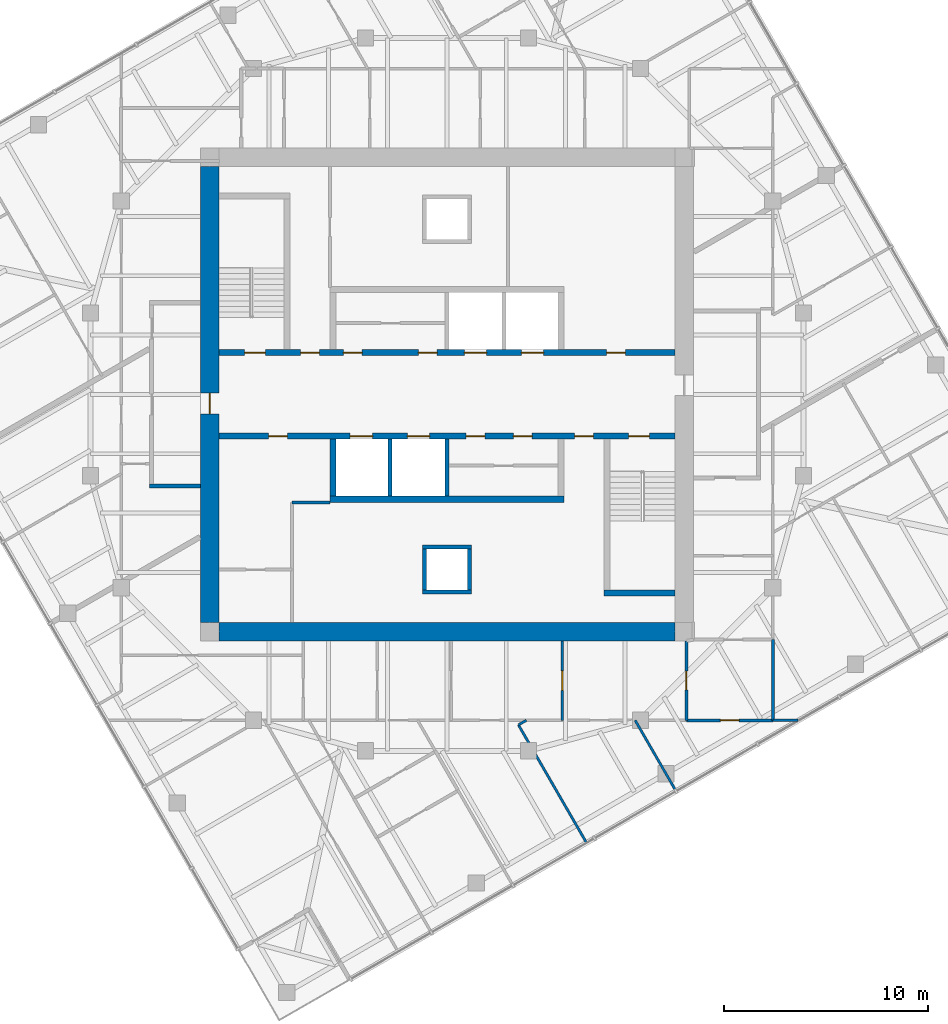
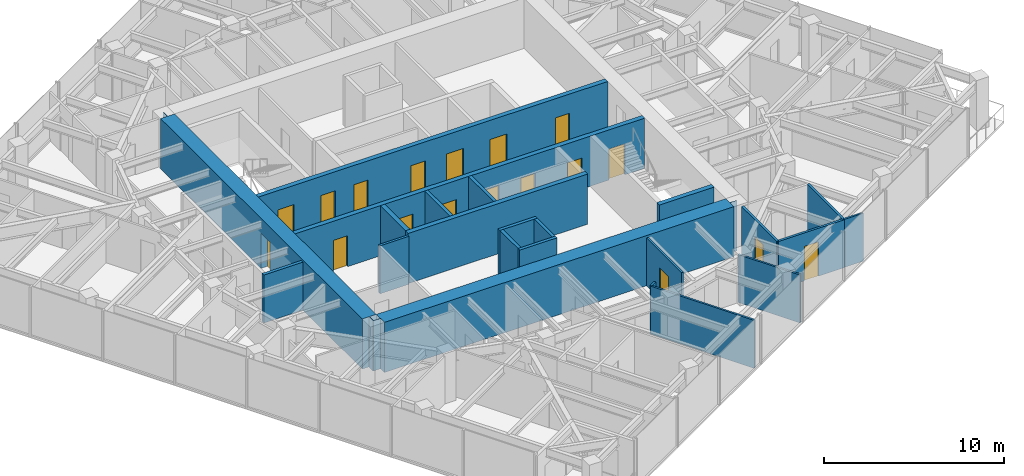
# One storey, part 8 of 12: 23 walls, 18 doors, 18 openings.
"""IFC4 building model written with IfcOpenShell, lengths in metres."""

from ifc_helpers import new_model, si_unit, direction, frame, frame_2d, origin, place, context, subcontext, project, spatial, polyline, rectangle, outline, extrude, material, layer, layer_set, type_object, element, fill, save


model = new_model("IFC4")

# Units and contexts
model_context = context("Model", 3, precision=1e-05, world=origin(), true_north=direction((0.0, 1.0)))
body_context = subcontext(model_context, "Body", "Model", "MODEL_VIEW")
ifc_project = project(units=[si_unit("LENGTHUNIT", "METRE"), si_unit("AREAUNIT", "SQUARE_METRE"), si_unit("VOLUMEUNIT", "CUBIC_METRE"), si_unit("PLANEANGLEUNIT", "RADIAN"), si_unit("MASSUNIT", "GRAM", prefix="KILO")], contexts=[model_context])

# Site, building, storey
site_placement = place(None, origin())
site = spatial("IfcSite", under=ifc_project, at=site_placement, CompositionType="ELEMENT")
building_placement = place(site_placement, origin())
building = spatial("IfcBuilding", under=site, at=building_placement, Name="Torsade Residences", CompositionType="ELEMENT")
storey_placement = place(building_placement, frame((0.0, 0.0, 221.800048828125)))
storey = spatial("IfcBuildingStorey", under=building, at=storey_placement, Name="L61", CompositionType="ELEMENT", Elevation=221.800048828125)

# Wall, openings, doors
ifc_material_1 = material(Name="Concrete 80 MPa", Category="concrete")
ifc_layer_1 = layer(ifc_material_1, 0.300048828125)
ifc_layer_set_1 = layer_set([ifc_layer_1], Name="Concrete 80 MPa")
wall_type_1 = type_object("IfcWallType", Name="CORE INTERNAL WALL 300", PredefinedType="SHEAR", material=ifc_layer_set_1)
wall_1_placement = place(storey_placement, frame((28.800048828125, 32.050048828125, 0.0), z_axis=(0.0, 0.0, 1.0), x_axis=(1.0, 0.0, 0.0)))
wall_1 = element("IfcWall", 1, at=wall_1_placement, inside=storey, type_object=wall_type_1, Name="Core wall LN L61", PredefinedType="SHEAR", context=body_context, shape_type="SweptSolid", body=[
    extrude(rectangle(XDim=22.39990234375, YDim=0.300048828125, at=frame_2d((11.199951171875, 0.0))), origin(), (0.0, 0.0, 1.0), 3.39990234375),
])
opening_1_placement = place(wall_1_placement, frame((19.0400390625, 0.0, 0.0)))
opening_1 = element("IfcOpeningElement", 2, at=opening_1_placement, cuts=wall_1, Name="Opening D06", PredefinedType="OPENING", context=body_context, shape_type="SweptSolid", body=[
    extrude(rectangle(XDim=0.919921875, YDim=2.10009765625, at=frame_2d((0.4599609375, 1.050048828125))), frame((0.0, 0.159912109375, 0.0), z_axis=(0.0, -1.0, 0.0), x_axis=(1.0, 0.0, 0.0)), (0.0, 0.0, 1.0), 0.320068359375),
])
opening_2_placement = place(wall_1_placement, frame((1.264892578125, 0.0, 0.0)))
opening_2 = element("IfcOpeningElement", 3, at=opening_2_placement, cuts=wall_1, Name="Opening D03", PredefinedType="OPENING", context=body_context, shape_type="SweptSolid", body=[
    extrude(rectangle(XDim=1.02001953125, YDim=2.10009765625, at=frame_2d((0.510009765625, 1.050048828125))), frame((0.0, 0.159912109375, 0.0), z_axis=(0.0, -1.0, 0.0), x_axis=(1.0, 0.0, 0.0)), (0.0, 0.0, 1.0), 0.320068359375),
])
opening_3_placement = place(wall_1_placement, frame((4.014892578125, 0.0, 0.0)))
opening_3 = element("IfcOpeningElement", 4, at=opening_3_placement, cuts=wall_1, Name="Opening D06", PredefinedType="OPENING", context=body_context, shape_type="SweptSolid", body=[
    extrude(rectangle(XDim=0.919921875, YDim=2.10009765625, at=frame_2d((0.4599609375, 1.050048828125))), frame((0.0, 0.159912109375, 0.0), z_axis=(0.0, -1.0, 0.0), x_axis=(1.0, 0.0, 0.0)), (0.0, 0.0, 1.0), 0.320068359375),
])
opening_4_placement = place(wall_1_placement, frame((6.114990234375, 0.0, 0.0)))
opening_4 = element("IfcOpeningElement", 5, at=opening_4_placement, cuts=wall_1, Name="Opening D06", PredefinedType="OPENING", context=body_context, shape_type="SweptSolid", body=[
    extrude(rectangle(XDim=0.919921875, YDim=2.10009765625, at=frame_2d((0.4599609375, 1.050048828125))), frame((0.0, 0.159912109375, 0.0), z_axis=(0.0, -1.0, 0.0), x_axis=(1.0, 0.0, 0.0)), (0.0, 0.0, 1.0), 0.320068359375),
])
opening_5_placement = place(wall_1_placement, frame((9.7900390625, 0.0, 0.0)))
opening_5 = element("IfcOpeningElement", 6, at=opening_5_placement, cuts=wall_1, Name="Opening D06", PredefinedType="OPENING", context=body_context, shape_type="SweptSolid", body=[
    extrude(rectangle(XDim=0.919921875, YDim=2.10009765625, at=frame_2d((0.4599609375, 1.050048828125))), frame((0.0, 0.159912109375, 0.0), z_axis=(0.0, -1.0, 0.0), x_axis=(1.0, 0.0, 0.0)), (0.0, 0.0, 1.0), 0.320068359375),
])
opening_6_placement = place(wall_1_placement, frame((12.050048828125, 0.0, 0.0)))
opening_6 = element("IfcOpeningElement", 7, at=opening_6_placement, cuts=wall_1, Name="Opening LD", PredefinedType="OPENING", context=body_context, shape_type="SweptSolid", body=[
    extrude(rectangle(XDim=1.10009765625, YDim=2.10009765625, at=frame_2d((0.550048828125, 1.050048828125))), frame((0.0, 0.159912109375, 0.0), z_axis=(0.0, -1.0, 0.0), x_axis=(1.0, 0.0, 0.0)), (0.0, 0.0, 1.0), 0.320068359375),
])
opening_7_placement = place(wall_1_placement, frame((14.85009765625, 0.0, 0.0)))
opening_7 = element("IfcOpeningElement", 8, at=opening_7_placement, cuts=wall_1, Name="Opening LD", PredefinedType="OPENING", context=body_context, shape_type="SweptSolid", body=[
    extrude(rectangle(XDim=1.10009765625, YDim=2.10009765625, at=frame_2d((0.550048828125, 1.050048828125))), frame((0.0, 0.159912109375, 0.0), z_axis=(0.0, -1.0, 0.0), x_axis=(1.0, 0.0, 0.0)), (0.0, 0.0, 1.0), 0.320068359375),
])
ifc_material_2 = material(Name="Steel-framed fire door", Category="steel")
door_type_1 = type_object("IfcDoorType", Name="FIRE DOOR 1020", OperationType="NOTDEFINED", PredefinedType="DOOR", material=ifc_material_2)
door_1_placement = place(opening_2_placement, origin())
door_1 = element("IfcDoor", 9, at=door_1_placement, inside=storey, type_object=door_type_1, Name="Exit door to fire-isolated stair ST1 L61", OperationType="SINGLE_SWING_RIGHT", OverallHeight=2.10009765625, OverallWidth=1.02001953125, PredefinedType="DOOR", context=body_context, shape_type="SweptSolid", body=[
    extrude(rectangle(XDim=1.02001953125, YDim=2.10009765625, at=frame_2d((0.510009765625, 1.050048828125))), frame((0.0, 0.02490234375, 0.0), z_axis=(0.0, -1.0, 0.0), x_axis=(1.0, 0.0, 0.0)), (0.0, 0.0, 1.0), 0.050048828125),
])
fill(opening_2, door_1)
ifc_material_3 = material(Name="Steel-framed fire door", Category="steel")
door_type_2 = type_object("IfcDoorType", Name="FIRE DOOR 920", OperationType="NOTDEFINED", PredefinedType="DOOR", material=ifc_material_3)
door_2_placement = place(opening_1_placement, origin())
door_2 = element("IfcDoor", 10, at=door_2_placement, inside=storey, type_object=door_type_2, Name="Door Lift lobby to Refuse room", OperationType="SINGLE_SWING_LEFT", OverallHeight=2.10009765625, OverallWidth=0.919921875, PredefinedType="DOOR", context=body_context, shape_type="SweptSolid", body=[
    extrude(rectangle(XDim=0.919921875, YDim=2.10009765625, at=frame_2d((0.4599609375, 1.050048828125))), frame((0.0, 0.02490234375, 0.0), z_axis=(0.0, -1.0, 0.0), x_axis=(1.0, 0.0, 0.0)), (0.0, 0.0, 1.0), 0.050048828125),
])
fill(opening_1, door_2)
door_3_placement = place(opening_3_placement, origin())
door_3 = element("IfcDoor", 11, at=door_3_placement, inside=storey, type_object=door_type_2, Name="Door Lift lobby to Meter store", OperationType="SINGLE_SWING_LEFT", OverallHeight=2.10009765625, OverallWidth=0.919921875, PredefinedType="DOOR", context=body_context, shape_type="SweptSolid", body=[
    extrude(rectangle(XDim=0.919921875, YDim=2.10009765625, at=frame_2d((0.4599609375, 1.050048828125))), frame((0.0, 0.02490234375, 0.0), z_axis=(0.0, -1.0, 0.0), x_axis=(1.0, 0.0, 0.0)), (0.0, 0.0, 1.0), 0.050048828125),
])
fill(opening_3, door_3)
door_4_placement = place(opening_4_placement, origin())
door_4 = element("IfcDoor", 12, at=door_4_placement, inside=storey, type_object=door_type_2, Name="Door Lift lobby to Communications room L61A", OperationType="SINGLE_SWING_LEFT", OverallHeight=2.10009765625, OverallWidth=0.919921875, PredefinedType="DOOR", context=body_context, shape_type="SweptSolid", body=[
    extrude(rectangle(XDim=0.919921875, YDim=2.10009765625, at=frame_2d((0.4599609375, 1.050048828125))), frame((0.0, 0.02490234375, 0.0), z_axis=(0.0, -1.0, 0.0), x_axis=(1.0, 0.0, 0.0)), (0.0, 0.0, 1.0), 0.050048828125),
])
fill(opening_4, door_4)
door_5_placement = place(opening_5_placement, origin())
door_5 = element("IfcDoor", 13, at=door_5_placement, inside=storey, type_object=door_type_2, Name="Door Lift lobby to Communications room L61A", OperationType="SINGLE_SWING_RIGHT", OverallHeight=2.10009765625, OverallWidth=0.919921875, PredefinedType="DOOR", context=body_context, shape_type="SweptSolid", body=[
    extrude(rectangle(XDim=0.919921875, YDim=2.10009765625, at=frame_2d((0.4599609375, 1.050048828125))), frame((0.0, 0.02490234375, 0.0), z_axis=(0.0, -1.0, 0.0), x_axis=(1.0, 0.0, 0.0)), (0.0, 0.0, 1.0), 0.050048828125),
])
fill(opening_5, door_5)
ifc_material_4 = material(Name="Stainless steel lift landing door", Category="steel")
door_type_3 = type_object("IfcDoorType", Name="LIFT LANDING DOOR 1100", OperationType="SLIDING_TO_LEFT", PredefinedType="DOOR", material=ifc_material_4)
door_6_placement = place(opening_6_placement, origin())
door_6 = element("IfcDoor", 14, at=door_6_placement, inside=storey, type_object=door_type_3, Name="Lift LA3 landing door L61", OperationType="SLIDING_TO_LEFT", OverallHeight=2.10009765625, OverallWidth=1.10009765625, PredefinedType="DOOR", context=body_context, shape_type="SweptSolid", body=[
    extrude(rectangle(XDim=1.10009765625, YDim=2.10009765625, at=frame_2d((0.550048828125, 1.050048828125))), frame((0.0, 0.02490234375, 0.0), z_axis=(0.0, -1.0, 0.0), x_axis=(1.0, 0.0, 0.0)), (0.0, 0.0, 1.0), 0.050048828125),
])
fill(opening_6, door_6)
door_7_placement = place(opening_7_placement, origin())
door_7 = element("IfcDoor", 15, at=door_7_placement, inside=storey, type_object=door_type_3, Name="Lift FL1 landing door L61", OperationType="SLIDING_TO_LEFT", OverallHeight=2.10009765625, OverallWidth=1.10009765625, PredefinedType="DOOR", context=body_context, shape_type="SweptSolid", body=[
    extrude(rectangle(XDim=1.10009765625, YDim=2.10009765625, at=frame_2d((0.550048828125, 1.050048828125))), frame((0.0, 0.02490234375, 0.0), z_axis=(0.0, -1.0, 0.0), x_axis=(1.0, 0.0, 0.0)), (0.0, 0.0, 1.0), 0.050048828125),
])
fill(opening_7, door_7)

wall_2_placement = place(storey_placement, frame((51.199951171875, 27.949951171875, 0.0), z_axis=(0.0, 0.0, 1.0), x_axis=(-1.0, 0.0, 0.0)))
wall_2 = element("IfcWall", 16, at=wall_2_placement, inside=storey, type_object=wall_type_1, Name="Core wall LS L61", PredefinedType="SHEAR", context=body_context, shape_type="SweptSolid", body=[
    extrude(rectangle(XDim=22.39990234375, YDim=0.300048828125, at=frame_2d((11.199951171875, 0.0))), origin(), (0.0, 0.0, 1.0), 3.39990234375),
])
opening_8_placement = place(wall_2_placement, frame((19.0400390625, 0.0, 0.0)))
opening_8 = element("IfcOpeningElement", 17, at=opening_8_placement, cuts=wall_2, Name="Opening D06", PredefinedType="OPENING", context=body_context, shape_type="SweptSolid", body=[
    extrude(rectangle(XDim=0.919921875, YDim=2.10009765625, at=frame_2d((0.4599609375, 1.050048828125))), frame((0.0, 0.159912109375, 0.0), z_axis=(0.0, -1.0, 0.0), x_axis=(1.0, 0.0, 0.0)), (0.0, 0.0, 1.0), 0.320068359375),
])
opening_9_placement = place(wall_2_placement, frame((1.264892578125, 0.0, 0.0)))
opening_9 = element("IfcOpeningElement", 18, at=opening_9_placement, cuts=wall_2, Name="Opening D03", PredefinedType="OPENING", context=body_context, shape_type="SweptSolid", body=[
    extrude(rectangle(XDim=1.02001953125, YDim=2.10009765625, at=frame_2d((0.510009765625, 1.050048828125))), frame((0.0, 0.159912109375, 0.0), z_axis=(0.0, -1.0, 0.0), x_axis=(1.0, 0.0, 0.0)), (0.0, 0.0, 1.0), 0.320068359375),
])
opening_10_placement = place(wall_2_placement, frame((4.014892578125, 0.0, 0.0)))
opening_10 = element("IfcOpeningElement", 19, at=opening_10_placement, cuts=wall_2, Name="Opening D06", PredefinedType="OPENING", context=body_context, shape_type="SweptSolid", body=[
    extrude(rectangle(XDim=0.919921875, YDim=2.10009765625, at=frame_2d((0.4599609375, 1.050048828125))), frame((0.0, 0.159912109375, 0.0), z_axis=(0.0, -1.0, 0.0), x_axis=(1.0, 0.0, 0.0)), (0.0, 0.0, 1.0), 0.320068359375),
])
opening_11_placement = place(wall_2_placement, frame((9.340087890625, 0.0, 0.0)))
opening_11 = element("IfcOpeningElement", 20, at=opening_11_placement, cuts=wall_2, Name="Opening D06", PredefinedType="OPENING", context=body_context, shape_type="SweptSolid", body=[
    extrude(rectangle(XDim=0.919921875, YDim=2.10009765625, at=frame_2d((0.4599609375, 1.050048828125))), frame((0.0, 0.159912109375, 0.0), z_axis=(0.0, -1.0, 0.0), x_axis=(1.0, 0.0, 0.0)), (0.0, 0.0, 1.0), 0.320068359375),
])
opening_12_placement = place(wall_2_placement, frame((7.014892578125, 0.0, 0.0)))
opening_12 = element("IfcOpeningElement", 21, at=opening_12_placement, cuts=wall_2, Name="Opening D06", PredefinedType="OPENING", context=body_context, shape_type="SweptSolid", body=[
    extrude(rectangle(XDim=0.919921875, YDim=2.10009765625, at=frame_2d((0.4599609375, 1.050048828125))), frame((0.0, 0.159912109375, 0.0), z_axis=(0.0, -1.0, 0.0), x_axis=(1.0, 0.0, 0.0)), (0.0, 0.0, 1.0), 0.320068359375),
])
opening_13_placement = place(wall_2_placement, frame((12.050048828125, 0.0, 0.0)))
opening_13 = element("IfcOpeningElement", 22, at=opening_13_placement, cuts=wall_2, Name="Opening LD", PredefinedType="OPENING", context=body_context, shape_type="SweptSolid", body=[
    extrude(rectangle(XDim=1.10009765625, YDim=2.10009765625, at=frame_2d((0.550048828125, 1.050048828125))), frame((0.0, 0.159912109375, 0.0), z_axis=(0.0, -1.0, 0.0), x_axis=(1.0, 0.0, 0.0)), (0.0, 0.0, 1.0), 0.320068359375),
])
opening_14_placement = place(wall_2_placement, frame((14.85009765625, 0.0, 0.0)))
opening_14 = element("IfcOpeningElement", 23, at=opening_14_placement, cuts=wall_2, Name="Opening LD", PredefinedType="OPENING", context=body_context, shape_type="SweptSolid", body=[
    extrude(rectangle(XDim=1.10009765625, YDim=2.10009765625, at=frame_2d((0.550048828125, 1.050048828125))), frame((0.0, 0.159912109375, 0.0), z_axis=(0.0, -1.0, 0.0), x_axis=(1.0, 0.0, 0.0)), (0.0, 0.0, 1.0), 0.320068359375),
])
door_8_placement = place(opening_9_placement, origin())
door_8 = element("IfcDoor", 24, at=door_8_placement, inside=storey, type_object=door_type_1, Name="Exit door to fire-isolated stair ST2 L61", OperationType="SINGLE_SWING_RIGHT", OverallHeight=2.10009765625, OverallWidth=1.02001953125, PredefinedType="DOOR", context=body_context, shape_type="SweptSolid", body=[
    extrude(rectangle(XDim=1.02001953125, YDim=2.10009765625, at=frame_2d((0.510009765625, 1.050048828125))), frame((0.0, 0.02490234375, 0.0), z_axis=(0.0, -1.0, 0.0), x_axis=(1.0, 0.0, 0.0)), (0.0, 0.0, 1.0), 0.050048828125),
])
fill(opening_9, door_8)
door_9_placement = place(opening_8_placement, origin())
door_9 = element("IfcDoor", 25, at=door_9_placement, inside=storey, type_object=door_type_2, Name="Door Lift lobby to Cleaner store", OperationType="SINGLE_SWING_LEFT", OverallHeight=2.10009765625, OverallWidth=0.919921875, PredefinedType="DOOR", context=body_context, shape_type="SweptSolid", body=[
    extrude(rectangle(XDim=0.919921875, YDim=2.10009765625, at=frame_2d((0.4599609375, 1.050048828125))), frame((0.0, 0.02490234375, 0.0), z_axis=(0.0, -1.0, 0.0), x_axis=(1.0, 0.0, 0.0)), (0.0, 0.0, 1.0), 0.050048828125),
])
fill(opening_8, door_9)
door_10_placement = place(opening_10_placement, origin())
door_10 = element("IfcDoor", 26, at=door_10_placement, inside=storey, type_object=door_type_2, Name="Door Lift lobby to Communications riser room", OperationType="SINGLE_SWING_RIGHT", OverallHeight=2.10009765625, OverallWidth=0.919921875, PredefinedType="DOOR", context=body_context, shape_type="SweptSolid", body=[
    extrude(rectangle(XDim=0.919921875, YDim=2.10009765625, at=frame_2d((0.4599609375, 1.050048828125))), frame((0.0, 0.02490234375, 0.0), z_axis=(0.0, -1.0, 0.0), x_axis=(1.0, 0.0, 0.0)), (0.0, 0.0, 1.0), 0.050048828125),
])
fill(opening_10, door_10)
door_11_placement = place(opening_11_placement, origin())
door_11 = element("IfcDoor", 27, at=door_11_placement, inside=storey, type_object=door_type_2, Name="Door Lift lobby to IT equipment room L61C", OperationType="SINGLE_SWING_LEFT", OverallHeight=2.10009765625, OverallWidth=0.919921875, PredefinedType="DOOR", context=body_context, shape_type="SweptSolid", body=[
    extrude(rectangle(XDim=0.919921875, YDim=2.10009765625, at=frame_2d((0.4599609375, 1.050048828125))), frame((0.0, 0.02490234375, 0.0), z_axis=(0.0, -1.0, 0.0), x_axis=(1.0, 0.0, 0.0)), (0.0, 0.0, 1.0), 0.050048828125),
])
fill(opening_11, door_11)
door_12_placement = place(opening_12_placement, origin())
door_12 = element("IfcDoor", 28, at=door_12_placement, inside=storey, type_object=door_type_2, Name="Door Lift lobby to IT equipment room L61C", OperationType="SINGLE_SWING_RIGHT", OverallHeight=2.10009765625, OverallWidth=0.919921875, PredefinedType="DOOR", context=body_context, shape_type="SweptSolid", body=[
    extrude(rectangle(XDim=0.919921875, YDim=2.10009765625, at=frame_2d((0.4599609375, 1.050048828125))), frame((0.0, 0.02490234375, 0.0), z_axis=(0.0, -1.0, 0.0), x_axis=(1.0, 0.0, 0.0)), (0.0, 0.0, 1.0), 0.050048828125),
])
fill(opening_12, door_12)
door_13_placement = place(opening_13_placement, origin())
door_13 = element("IfcDoor", 29, at=door_13_placement, inside=storey, type_object=door_type_3, Name="Lift LB3 landing door L61", OperationType="SLIDING_TO_LEFT", OverallHeight=2.10009765625, OverallWidth=1.10009765625, PredefinedType="DOOR", context=body_context, shape_type="SweptSolid", body=[
    extrude(rectangle(XDim=1.10009765625, YDim=2.10009765625, at=frame_2d((0.550048828125, 1.050048828125))), frame((0.0, 0.02490234375, 0.0), z_axis=(0.0, -1.0, 0.0), x_axis=(1.0, 0.0, 0.0)), (0.0, 0.0, 1.0), 0.050048828125),
])
fill(opening_13, door_13)
door_14_placement = place(opening_14_placement, origin())
door_14 = element("IfcDoor", 30, at=door_14_placement, inside=storey, type_object=door_type_3, Name="Lift FL2 landing door L61", OperationType="SLIDING_TO_LEFT", OverallHeight=2.10009765625, OverallWidth=1.10009765625, PredefinedType="DOOR", context=body_context, shape_type="SweptSolid", body=[
    extrude(rectangle(XDim=1.10009765625, YDim=2.10009765625, at=frame_2d((0.550048828125, 1.050048828125))), frame((0.0, 0.02490234375, 0.0), z_axis=(0.0, -1.0, 0.0), x_axis=(1.0, 0.0, 0.0)), (0.0, 0.0, 1.0), 0.050048828125),
])
fill(opening_14, door_14)

# Walls
wall_3_placement = place(storey_placement, frame((45.75, 24.85009765625, 0.0), z_axis=(0.0, 0.0, 1.0), x_axis=(-1.0, 0.0, 0.0)))
element("IfcWall", 31, at=wall_3_placement, inside=storey, type_object=wall_type_1, Name="Core wall BS L61", PredefinedType="SHEAR", context=body_context, shape_type="SweptSolid", body=[
    extrude(rectangle(XDim=11.5, YDim=0.300048828125, at=frame_2d((5.75, 0.0))), origin(), (0.0, 0.0, 1.0), 3.39990234375),
])
wall_4_placement = place(storey_placement, frame((34.39990234375, 27.800048828125, 0.0), z_axis=(0.0, 0.0, 1.0), x_axis=(0.0, -1.0, 0.0)))
element("IfcWall", 32, at=wall_4_placement, inside=storey, type_object=wall_type_1, Name="Core wall DS4 L61", PredefinedType="SHEAR", context=body_context, shape_type="SweptSolid", body=[
    extrude(rectangle(XDim=2.800048828125, YDim=0.300048828125, at=frame_2d((1.39990234375, 0.0))), origin(), (0.0, 0.0, 1.0), 3.39990234375),
])
wall_5_placement = place(storey_placement, frame((51.199951171875, 20.25, 0.0), z_axis=(0.0, 0.0, 1.0), x_axis=(-1.0, 0.0, 0.0)))
element("IfcWall", 33, at=wall_5_placement, inside=storey, type_object=wall_type_1, Name="Core wall ST2S L61", PredefinedType="SHEAR", context=body_context, shape_type="SweptSolid", body=[
    extrude(rectangle(XDim=3.5, YDim=0.300048828125, at=frame_2d((1.75, 0.0))), origin(), (0.0, 0.0, 1.0), 3.39990234375),
])
ifc_material_5 = material(Name="Concrete 80 MPa", Category="concrete")
ifc_layer_2 = layer(ifc_material_5, 0.89990234375)
ifc_layer_set_2 = layer_set([ifc_layer_2], Name="Concrete 80 MPa")
wall_type_2 = type_object("IfcWallType", Name="CORE WALL 900", PredefinedType="SHEAR", material=ifc_layer_set_2)
wall_6_placement = place(storey_placement, frame((51.199951171875, 18.35009765625, 0.0), z_axis=(0.0, 0.0, 1.0), x_axis=(-1.0, 0.0, 0.0)))
element("IfcWall", 34, at=wall_6_placement, inside=storey, type_object=wall_type_2, Name="Core wall S L61", PredefinedType="SHEAR", context=body_context, shape_type="SweptSolid", body=[
    extrude(outline(polyline([(0.0, -0.449951171875), (22.39990234375, -0.449951171875), (22.39990234375, -0.02490234375), (22.849853515625, -0.02490234375), (22.849853515625, 0.02490234375), (22.39990234375, 0.02490234375), (22.39990234375, 0.449951171875), (0.0, 0.449951171875), (0.0, 0.02490234375), (-0.449951171875, 0.02490234375), (-0.449951171875, -0.02490234375), (0.0, -0.02490234375), (0.0, -0.449951171875)])), origin(), (0.0, 0.0, 1.0), 3.39990234375),
])

# Wall, opening, door
wall_7_placement = place(storey_placement, frame((28.35009765625, 41.199951171875, 0.0), z_axis=(0.0, 0.0, 1.0), x_axis=(0.0, -1.0, 0.0)))
wall_7 = element("IfcWall", 35, at=wall_7_placement, inside=storey, type_object=wall_type_2, Name="Core wall W L61", PredefinedType="SHEAR", context=body_context, shape_type="SweptSolid", body=[
    extrude(outline(polyline([(0.0, -0.449951171875), (22.39990234375, -0.449951171875), (22.39990234375, -0.02490234375), (22.849853515625, -0.02490234375), (22.849853515625, 0.02490234375), (22.39990234375, 0.02490234375), (22.39990234375, 0.449951171875), (0.0, 0.449951171875), (0.0, 0.02490234375), (-0.449951171875, 0.02490234375), (-0.449951171875, -0.02490234375), (0.0, -0.02490234375), (0.0, -0.449951171875)])), origin(), (0.0, 0.0, 1.0), 3.39990234375),
])
opening_15_placement = place(wall_7_placement, frame((11.139892578125, 0.0, 0.0)))
opening_15 = element("IfcOpeningElement", 36, at=opening_15_placement, cuts=wall_7, Name="Opening D04", PredefinedType="OPENING", context=body_context, shape_type="SweptSolid", body=[
    extrude(rectangle(XDim=1.02001953125, YDim=2.39990234375, at=frame_2d((0.510009765625, 1.199951171875))), frame((0.0, 0.4599609375, 0.0), z_axis=(0.0, -1.0, 0.0), x_axis=(1.0, 0.0, 0.0)), (0.0, 0.0, 1.0), 0.919921875),
])
ifc_material_6 = material(Name="Steel-framed fire door", Category="steel")
door_type_4 = type_object("IfcDoorType", Name="LOBBY SMOKE DOOR 1020x2400", OperationType="NOTDEFINED", PredefinedType="DOOR", material=ifc_material_6)
door_15_placement = place(opening_15_placement, origin())
door_15 = element("IfcDoor", 37, at=door_15_placement, inside=storey, type_object=door_type_4, Name="Lift lobby door W L61", OperationType="SINGLE_SWING_RIGHT", OverallHeight=2.39990234375, OverallWidth=1.02001953125, PredefinedType="DOOR", context=body_context, shape_type="SweptSolid", body=[
    extrude(rectangle(XDim=1.02001953125, YDim=2.39990234375, at=frame_2d((0.510009765625, 1.199951171875))), frame((0.0, 0.02490234375, 0.0), z_axis=(0.0, -1.0, 0.0), x_axis=(1.0, 0.0, 0.0)), (0.0, 0.0, 1.0), 0.050048828125),
])
fill(opening_15, door_15)

# Walls
ifc_material_7 = material(Name="Plasterboard on steel stud", Category="steel")
ifc_layer_3 = layer(ifc_material_7, 0.199951171875)
ifc_layer_set_3 = layer_set([ifc_layer_3], Name="Plasterboard on steel stud")
wall_type_3 = type_object("IfcWallType", Name="CORRIDOR WALL 200", PredefinedType="PARTITIONING", material=ifc_layer_set_3)
wall_8_placement = place(storey_placement, frame((27.89990234375, 25.5, 0.0), z_axis=(0.0, 0.0, 1.0), x_axis=(-1.0, 0.0, 0.0)))
element("IfcWall", 38, at=wall_8_placement, inside=storey, type_object=wall_type_3, Name="Corridor wall L61", PredefinedType="PARTITIONING", context=body_context, shape_type="SweptSolid", body=[
    extrude(rectangle(XDim=2.5, YDim=0.199951171875, at=frame_2d((1.25, 0.0))), origin(), (0.0, 0.0, 1.0), 3.25),
])
ifc_material_8 = material(Name="Reinforced blockwork", Category="masonry")
ifc_layer_4 = layer(ifc_material_8, 0.199951171875)
ifc_layer_set_4 = layer_set([ifc_layer_4], Name="Reinforced blockwork")
wall_type_4 = type_object("IfcWallType", Name="LIFT SHAFT DIVIDING WALL 200", PredefinedType="SOLIDWALL", material=ifc_layer_set_4)
for number, where, z_axis, x_axis, name in (
    (39, (40.0, 27.800048828125, 0.0), (0.0, 0.0, 1.0), (0.0, -1.0, 0.0), "Core wall DS2 L61"),
    (40, (37.199951171875, 27.800048828125, 0.0), (0.0, 0.0, 1.0), (0.0, -1.0, 0.0), "Core wall DS3 L61"),
):
    element("IfcWall", number, at=place(storey_placement, frame(where, z_axis=z_axis, x_axis=x_axis)), inside=storey, type_object=wall_type_4, Name=name, PredefinedType="SOLIDWALL", context=body_context, shape_type="SweptSolid", body=[
        extrude(rectangle(XDim=2.800048828125, YDim=0.199951171875, at=frame_2d((1.39990234375, 0.0))), origin(), (0.0, 0.0, 1.0), 3.39990234375),
    ])

# Wall, opening, door
ifc_material_9 = material(Name="Plasterboard on steel stud", Category="steel")
ifc_layer_5 = layer(ifc_material_9, 0.1201171875)
ifc_layer_set_5 = layer_set([ifc_layer_5], Name="Plasterboard on steel stud")
wall_type_5 = type_object("IfcWallType", Name="PARTITION 120", PredefinedType="PARTITIONING", material=ifc_layer_set_5)
wall_9_placement = place(storey_placement, frame((45.6591796875, 17.89990234375, 0.0), z_axis=(0.0, 0.0, 1.0), x_axis=(0.0, -1.0, 0.0)))
wall_9 = element("IfcWall", 41, at=wall_9_placement, inside=storey, type_object=wall_type_5, Name="Partition L61", PredefinedType="PARTITIONING", context=body_context, shape_type="SweptSolid", body=[
    extrude(rectangle(XDim=3.89990234375, YDim=0.1201171875, at=frame_2d((1.949951171875, 0.0))), origin(), (0.0, 0.0, 1.0), 3.25),
])
opening_16_placement = place(wall_9_placement, frame((1.469970703125, 0.0, 0.0)))
opening_16 = element("IfcOpeningElement", 42, at=opening_16_placement, cuts=wall_9, Name="Opening D05", PredefinedType="OPENING", context=body_context, shape_type="SweptSolid", body=[
    extrude(rectangle(XDim=0.9599609375, YDim=2.10009765625, at=frame_2d((0.47998046875, 1.050048828125))), frame((0.0, 0.070068359375, 0.0), z_axis=(0.0, -1.0, 0.0), x_axis=(1.0, 0.0, 0.0)), (0.0, 0.0, 1.0), 0.14013671875),
])
ifc_material_10 = material(Name="Hollow-core timber door in a steel cavity frame", Category="steel")
door_type_5 = type_object("IfcDoorType", Name="BATHROOM CAVITY SLIDING DOOR 960", OperationType="SLIDING_TO_LEFT", PredefinedType="DOOR", material=ifc_material_10)
door_16_placement = place(opening_16_placement, origin())
door_16 = element("IfcDoor", 43, at=door_16_placement, inside=storey, type_object=door_type_5, Name="Door Walk-in robe to Laundry", OperationType="SLIDING_TO_LEFT", OverallHeight=2.10009765625, OverallWidth=0.9599609375, PredefinedType="DOOR", context=body_context, shape_type="SweptSolid", body=[
    extrude(rectangle(XDim=0.9599609375, YDim=2.10009765625, at=frame_2d((0.47998046875, 1.050048828125))), frame((0.0, 0.02490234375, 0.0), z_axis=(0.0, -1.0, 0.0), x_axis=(1.0, 0.0, 0.0)), (0.0, 0.0, 1.0), 0.050048828125),
])
fill(opening_16, door_16)

# Walls
wall_10_placement = place(storey_placement, frame((57.224609375, 14.010009765625, 0.0), z_axis=(0.0, 0.0, 1.0), x_axis=(-1.0, 0.0, 0.0)))
element("IfcWall", 44, at=wall_10_placement, inside=storey, type_object=wall_type_5, Name="Partition L61", PredefinedType="PARTITIONING", context=body_context, shape_type="SweptSolid", body=[
    extrude(rectangle(XDim=1.224609375, YDim=0.1201171875, at=frame_2d((0.6123046875, 0.0))), origin(), (0.0, 0.0, 1.0), 3.25),
])
wall_11_placement = place(storey_placement, frame((43.89697265625, 14.0, 0.0), z_axis=(0.0, 0.0, 1.0), x_axis=(-0.865896406789, -0.500223362819, 0.0)))
element("IfcWall", 45, at=wall_11_placement, inside=storey, type_object=wall_type_5, Name="Partition L61", PredefinedType="PARTITIONING", context=body_context, shape_type="SweptSolid", body=[
    extrude(rectangle(XDim=0.449951171875, YDim=0.1201171875, at=frame_2d((0.22509765625, 0.0))), origin(), (0.0, 0.0, 1.0), 3.25),
])
wall_12_placement = place(storey_placement, frame((43.50732421875, 13.77490234375, 0.0), z_axis=(0.0, 0.0, 1.0), x_axis=(0.500013541994, -0.866017585169, 0.0)))
element("IfcWall", 46, at=wall_12_placement, inside=storey, type_object=wall_type_5, Name="Partition L61", PredefinedType="PARTITIONING", context=body_context, shape_type="SweptSolid", body=[
    extrude(rectangle(XDim=6.655029296875, YDim=0.1201171875, at=frame_2d((3.32763671875, 0.0))), origin(), (0.0, 0.0, 1.0), 3.25),
])
wall_13_placement = place(storey_placement, frame((51.22998046875, 10.549072265625, 0.0), z_axis=(0.0, 0.0, 1.0), x_axis=(-0.500007073895, 0.866021319631, 0.0)))
element("IfcWall", 47, at=wall_13_placement, inside=storey, type_object=wall_type_5, Name="Partition L61", PredefinedType="PARTITIONING", context=body_context, shape_type="SweptSolid", body=[
    extrude(rectangle(XDim=3.98486328125, YDim=0.1201171875, at=frame_2d((1.992431640625, 0.0))), origin(), (0.0, 0.0, 1.0), 3.25),
])
ifc_material_11 = material(Name="Reinforced blockwork", Category="masonry")
ifc_layer_6 = layer(ifc_material_11, 0.199951171875)
ifc_layer_set_6 = layer_set([ifc_layer_6], Name="Reinforced blockwork")
wall_type_6 = type_object("IfcWallType", Name="RISER SHAFT WALL 200", PredefinedType="SOLIDWALL", material=ifc_layer_set_6)
for number, where, z_axis, x_axis, name in (
    (48, (38.89990234375, 22.39990234375, 0.0), (0.0, 0.0, 1.0), (0.0, -1.0, 0.0), "Core wall RS2a L61"),
    (49, (41.10009765625, 22.39990234375, 0.0), (0.0, 0.0, 1.0), (0.0, -1.0, 0.0), "Core wall RS2b L61"),
):
    element("IfcWall", number, at=place(storey_placement, frame(where, z_axis=z_axis, x_axis=x_axis)), inside=storey, type_object=wall_type_6, Name=name, PredefinedType="SOLIDWALL", context=body_context, shape_type="SweptSolid", body=[
        extrude(rectangle(XDim=2.0, YDim=0.199951171875, at=frame_2d((1.0, 0.0))), origin(), (0.0, 0.0, 1.0), 3.39990234375),
    ])
for number, where, z_axis, x_axis, name in (
    (50, (38.800048828125, 22.5, 0.0), (0.0, 0.0, 1.0), (1.0, 0.0, 0.0), "Core wall RS2c L61"),
    (51, (38.800048828125, 20.300048828125, 0.0), (0.0, 0.0, 1.0), (1.0, 0.0, 0.0), "Core wall RS2d L61"),
):
    element("IfcWall", number, at=place(storey_placement, frame(where, z_axis=z_axis, x_axis=x_axis)), inside=storey, type_object=wall_type_6, Name=name, PredefinedType="SOLIDWALL", context=body_context, shape_type="SweptSolid", body=[
        extrude(rectangle(XDim=2.39990234375, YDim=0.199951171875, at=frame_2d((1.199951171875, 0.0))), origin(), (0.0, 0.0, 1.0), 3.39990234375),
    ])
ifc_material_12 = material(Name="Reinforced blockwork", Category="masonry")
ifc_layer_7 = layer(ifc_material_12, 0.14990234375)
ifc_layer_set_7 = layer_set([ifc_layer_7], Name="Reinforced blockwork")
wall_type_7 = type_object("IfcWallType", Name="SERVICE ROOM WALL 150", PredefinedType="SOLIDWALL", material=ifc_layer_set_7)
wall_14_placement = place(storey_placement, frame((32.39990234375, 24.699951171875, 0.0), z_axis=(0.0, 0.0, 1.0), x_axis=(1.0, 0.0, 0.0)))
element("IfcWall", 52, at=wall_14_placement, inside=storey, type_object=wall_type_7, Name="Service room wall L61", PredefinedType="SOLIDWALL", context=body_context, shape_type="SweptSolid", body=[
    extrude(rectangle(XDim=1.85009765625, YDim=0.14990234375, at=frame_2d((0.925048828125, 0.0))), origin(), (0.0, 0.0, 1.0), 3.25),
])

# Wall, opening, door
wall_15_placement = place(storey_placement, frame((51.757080078125, 14.0, 0.0), z_axis=(0.0, 0.0, 1.0), x_axis=(0.0, 1.0, 0.0)))
wall_15 = element("IfcWall", 53, at=wall_15_placement, inside=storey, type_object=wall_type_7, Name="Service room wall L61", PredefinedType="SOLIDWALL", context=body_context, shape_type="SweptSolid", body=[
    extrude(rectangle(XDim=3.89990234375, YDim=0.14990234375, at=frame_2d((1.949951171875, 0.0))), origin(), (0.0, 0.0, 1.0), 3.25),
])
opening_17_placement = place(wall_15_placement, frame((1.489990234375, 0.0, 0.0)))
opening_17 = element("IfcOpeningElement", 54, at=opening_17_placement, cuts=wall_15, Name="Opening D02L", PredefinedType="OPENING", context=body_context, shape_type="SweptSolid", body=[
    extrude(rectangle(XDim=0.919921875, YDim=2.10009765625, at=frame_2d((0.4599609375, 1.050048828125))), frame((0.0, 0.0849609375, 0.0), z_axis=(0.0, -1.0, 0.0), x_axis=(1.0, 0.0, 0.0)), (0.0, 0.0, 1.0), 0.169921875),
])
ifc_material_13 = material(Name="Hollow-core timber door", Category="wood")
door_type_6 = type_object("IfcDoorType", Name="INTERNAL DOOR 920x2100", OperationType="NOTDEFINED", PredefinedType="DOOR", material=ifc_material_13)
door_17_placement = place(opening_17_placement, origin())
door_17 = element("IfcDoor", 55, at=door_17_placement, inside=storey, type_object=door_type_6, Name="Door Linen store to Walk-in robe", OperationType="SINGLE_SWING_LEFT", OverallHeight=2.10009765625, OverallWidth=0.919921875, PredefinedType="DOOR", context=body_context, shape_type="SweptSolid", body=[
    extrude(rectangle(XDim=0.919921875, YDim=2.10009765625, at=frame_2d((0.4599609375, 1.050048828125))), frame((0.0, 0.02490234375, 0.0), z_axis=(0.0, -1.0, 0.0), x_axis=(1.0, 0.0, 0.0)), (0.0, 0.0, 1.0), 0.050048828125),
])
fill(opening_17, door_17)

# Wall
wall_16_placement = place(storey_placement, frame((56.0, 17.9560546875, 0.0), z_axis=(0.0, 0.0, 1.0), x_axis=(0.0, -1.0, 0.0)))
element("IfcWall", 56, at=wall_16_placement, inside=storey, type_object=wall_type_7, Name="Service room wall L61", PredefinedType="SOLIDWALL", context=body_context, shape_type="SweptSolid", body=[
    extrude(rectangle(XDim=3.9560546875, YDim=0.14990234375, at=frame_2d((1.97802734375, 0.0))), origin(), (0.0, 0.0, 1.0), 3.25),
])

# Wall, opening, door
wall_17_placement = place(storey_placement, frame((56.0, 14.0, 0.0), z_axis=(0.0, 0.0, 1.0), x_axis=(-1.0, 0.0, 0.0)))
wall_17 = element("IfcWall", 57, at=wall_17_placement, inside=storey, type_object=wall_type_7, Name="Service room wall L61", PredefinedType="SOLIDWALL", context=body_context, shape_type="SweptSolid", body=[
    extrude(rectangle(XDim=4.242919921875, YDim=0.14990234375, at=frame_2d((2.12158203125, 0.0))), origin(), (0.0, 0.0, 1.0), 3.25),
])
opening_18_placement = place(wall_17_placement, frame((1.661376953125, 0.0, 0.0)))
opening_18 = element("IfcOpeningElement", 58, at=opening_18_placement, cuts=wall_17, Name="Opening D02", PredefinedType="OPENING", context=body_context, shape_type="SweptSolid", body=[
    extrude(rectangle(XDim=0.919921875, YDim=2.340087890625, at=frame_2d((0.4599609375, 1.169921875))), frame((0.0, 0.0849609375, 0.0), z_axis=(0.0, -1.0, 0.0), x_axis=(1.0, 0.0, 0.0)), (0.0, 0.0, 1.0), 0.169921875),
])
ifc_material_14 = material(Name="Hollow-core timber door", Category="wood")
door_type_7 = type_object("IfcDoorType", Name="INTERNAL DOOR 920x2340", OperationType="NOTDEFINED", PredefinedType="DOOR", material=ifc_material_14)
door_18_placement = place(opening_18_placement, origin())
door_18 = element("IfcDoor", 59, at=door_18_placement, inside=storey, type_object=door_type_7, Name="Door Linen store to Bedroom 4", OperationType="SINGLE_SWING_RIGHT", OverallHeight=2.340087890625, OverallWidth=0.919921875, PredefinedType="DOOR", context=body_context, shape_type="SweptSolid", body=[
    extrude(rectangle(XDim=0.919921875, YDim=2.340087890625, at=frame_2d((0.4599609375, 1.169921875))), frame((0.0, 0.02490234375, 0.0), z_axis=(0.0, -1.0, 0.0), x_axis=(1.0, 0.0, 0.0)), (0.0, 0.0, 1.0), 0.050048828125),
])
fill(opening_18, door_18)

save(model, "model.ifc")
